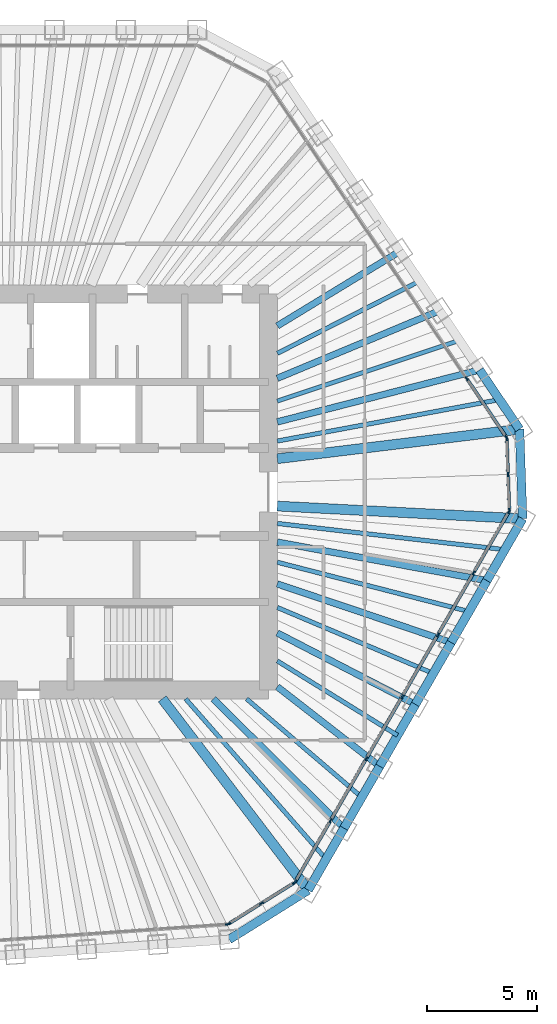
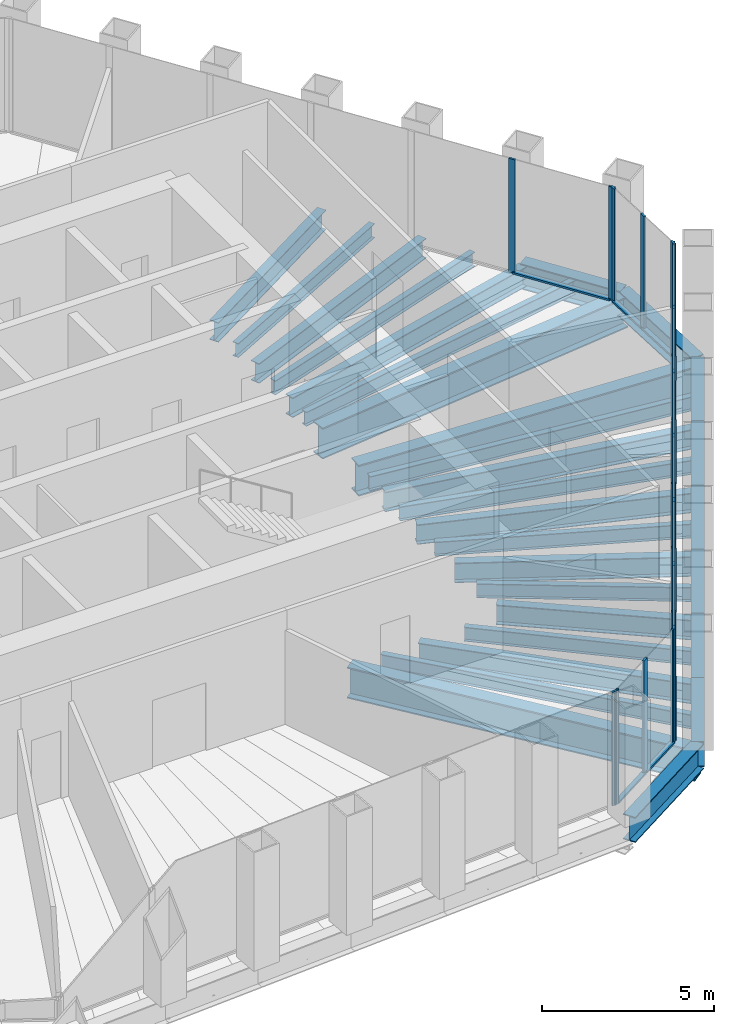
# One storey, part 5 of 14: 29 beams, 27 members, 5 elements without a shape of their own.
"""IFC4 building model written with IfcOpenShell, lengths in metres."""

from ifc_helpers import new_model, si_unit, direction, frame, origin, origin_2d, place, context, subcontext, project, spatial, rectangle, i_section, extrude, material, material_profile, profile_set, type_object, element, aggregate, save


model = new_model("IFC4")

# Units and contexts
model_context = context("Model", 3, precision=1e-05, world=origin(), true_north=direction((0.0, 1.0)))
body_context = subcontext(model_context, "Body", "Model", "MODEL_VIEW")
ifc_project = project(units=[si_unit("LENGTHUNIT", "METRE"), si_unit("AREAUNIT", "SQUARE_METRE"), si_unit("VOLUMEUNIT", "CUBIC_METRE"), si_unit("PLANEANGLEUNIT", "RADIAN"), si_unit("MASSUNIT", "GRAM", prefix="KILO")], contexts=[model_context])

# Site, building, storey
site_placement = place(None, origin())
site = spatial("IfcSite", under=ifc_project, at=site_placement, CompositionType="ELEMENT")
building_placement = place(site_placement, origin())
building = spatial("IfcBuilding", under=site, at=building_placement, Name="Qingtian Harvest Tower", CompositionType="ELEMENT")
storey_placement = place(building_placement, frame((0.0, 0.0, 308.199951171875)))
storey = spatial("IfcBuildingStorey", under=building, at=storey_placement, Name="L68", CompositionType="ELEMENT", Elevation=308.199951171875)

# Beams
ifc_material_1 = material(Name="Steel SM570MC", Category="steel")
ifc_material_profile_1 = material_profile(ifc_material_1, i_section(OverallWidth=0.449951171875, OverallDepth=1.10009765625, WebThickness=0.02197265625, FlangeThickness=0.044921875, at=origin_2d()), Name="H1100x450x22x45")
ifc_profile_set_1 = profile_set([ifc_material_profile_1], Name="Steel SM570MC")
beam_type_1 = type_object("IfcBeamType", Name="Corner floor beam FB8 H1100x450x22x45", PredefinedType="BEAM", material=ifc_profile_set_1)
beam_1_placement = place(storey_placement, frame((23.405517578125, 2.85400390625, -0.719970703125), z_axis=(-0.992647039178, -0.121044849583, 0.0), x_axis=(0.121044849583, -0.992647039178, 0.0)))
element("IfcBeam", 1, at=beam_1_placement, inside=storey, type_object=beam_type_1, Name="Floor beam FB8 NE6", PredefinedType="BEAM", context=body_context, shape_type="SweptSolid", body=[
    extrude(i_section(OverallWidth=0.449951171875, OverallDepth=1.10009765625, WebThickness=0.02197265625, FlangeThickness=0.044921875, at=origin_2d()), origin(), (0.0, 0.0, 1.0), 11.087158203125),
])
beam_2_placement = place(storey_placement, frame((23.547607421875, -1.21435546875, -0.719970703125), z_axis=(-0.998672618964, 0.051507282312, 0.0), x_axis=(-0.051507282312, -0.998672618964, 0.0)))
element("IfcBeam", 2, at=beam_2_placement, inside=storey, type_object=beam_type_1, Name="Floor beam FB8 SE0", PredefinedType="BEAM", context=body_context, shape_type="SweptSolid", body=[
    extrude(i_section(OverallWidth=0.449951171875, OverallDepth=1.10009765625, WebThickness=0.02197265625, FlangeThickness=0.044921875, at=origin_2d()), origin(), (0.0, 0.0, 1.0), 11.16259765625),
])
beam_3_placement = place(storey_placement, frame((13.803466796875, -18.091552734375, -0.719970703125), z_axis=(-0.606571927806, 0.795028613572, 0.0), x_axis=(-0.795028613572, -0.606571927806, 0.0)))
element("IfcBeam", 3, at=beam_3_placement, inside=storey, type_object=beam_type_1, Name="Floor beam FB8 SE6", PredefinedType="BEAM", context=body_context, shape_type="SweptSolid", body=[
    extrude(i_section(OverallWidth=0.449951171875, OverallDepth=1.10009765625, WebThickness=0.02197265625, FlangeThickness=0.044921875, at=origin_2d()), origin(), (0.0, 0.0, 1.0), 10.9326171875),
])
ifc_material_2 = material(Name="Steel SN490B", Category="steel")
ifc_material_profile_2 = material_profile(ifc_material_2, i_section(OverallWidth=0.300048828125, OverallDepth=0.699951171875, WebThickness=0.012939453125, FlangeThickness=0.02392578125, at=origin_2d()), Name="H700x300x13x24")
ifc_profile_set_2 = profile_set([ifc_material_profile_2], Name="Steel SN490B")
beam_type_2 = type_object("IfcBeamType", Name="Floor beam FB4 H700x300x13x24", PredefinedType="BEAM", material=ifc_profile_set_2)
beam_4_placement = place(storey_placement, frame((17.956787109375, 10.93212890625, -0.52001953125), z_axis=(-0.854157247087, -0.520014804836, 0.0), x_axis=(0.520014804836, -0.854157247087, 0.0)))
element("IfcBeam", 4, at=beam_4_placement, inside=storey, type_object=beam_type_2, Name="Floor beam FB4 NE3", PredefinedType="BEAM", context=body_context, shape_type="SweptSolid", body=[
    extrude(i_section(OverallWidth=0.300048828125, OverallDepth=0.699951171875, WebThickness=0.012939453125, FlangeThickness=0.02392578125, at=origin_2d()), origin(), (0.0, 0.0, 1.0), 6.505615234375),
])
beam_5_placement = place(storey_placement, frame((19.77294921875, 8.2392578125, -0.52001953125), z_axis=(-0.923069688542, -0.38463274704, 0.0), x_axis=(0.38463274704, -0.923069688542, 0.0)))
element("IfcBeam", 5, at=beam_5_placement, inside=storey, type_object=beam_type_2, Name="Floor beam FB4 NE4", PredefinedType="BEAM", context=body_context, shape_type="SweptSolid", body=[
    extrude(i_section(OverallWidth=0.300048828125, OverallDepth=0.699951171875, WebThickness=0.012939453125, FlangeThickness=0.02392578125, at=origin_2d()), origin(), (0.0, 0.0, 1.0), 7.987548828125),
])
beam_6_placement = place(storey_placement, frame((21.58935546875, 5.546630859375, -0.52001953125), z_axis=(-0.96854787986, -0.248827258189, 0.0), x_axis=(0.248827258189, -0.96854787986, 0.0)))
element("IfcBeam", 6, at=beam_6_placement, inside=storey, type_object=beam_type_2, Name="Floor beam FB4 NE5", PredefinedType="BEAM", context=body_context, shape_type="SweptSolid", body=[
    extrude(i_section(OverallWidth=0.300048828125, OverallDepth=0.699951171875, WebThickness=0.012939453125, FlangeThickness=0.02392578125, at=origin_2d()), origin(), (0.0, 0.0, 1.0), 9.48779296875),
])
beam_7_placement = place(storey_placement, frame((21.923583984375, -4.027099609375, -0.52001953125), z_axis=(-0.983546800525, 0.180653511389, 0.0), x_axis=(-0.180653511389, -0.983546800525, 0.0)))
element("IfcBeam", 7, at=beam_7_placement, inside=storey, type_object=beam_type_2, Name="Floor beam FB4 SE1", PredefinedType="BEAM", context=body_context, shape_type="SweptSolid", body=[
    extrude(i_section(OverallWidth=0.300048828125, OverallDepth=0.699951171875, WebThickness=0.012939453125, FlangeThickness=0.02392578125, at=origin_2d()), origin(), (0.0, 0.0, 1.0), 9.68310546875),
])
beam_8_placement = place(storey_placement, frame((20.299560546875, -6.840087890625, -0.52001953125), z_axis=(-0.947647345861, 0.319318818553, 0.0), x_axis=(-0.319318818553, -0.947647345861, 0.0)))
element("IfcBeam", 8, at=beam_8_placement, inside=storey, type_object=beam_type_2, Name="Floor beam FB4 SE2", PredefinedType="BEAM", context=body_context, shape_type="SweptSolid", body=[
    extrude(i_section(OverallWidth=0.300048828125, OverallDepth=0.699951171875, WebThickness=0.012939453125, FlangeThickness=0.02392578125, at=origin_2d()), origin(), (0.0, 0.0, 1.0), 8.336181640625),
])
beam_9_placement = place(storey_placement, frame((18.675537109375, -9.65283203125, -0.52001953125), z_axis=(-0.888354253651, 0.459158708967, 0.0), x_axis=(-0.459158708967, -0.888354253651, 0.0)))
element("IfcBeam", 9, at=beam_9_placement, inside=storey, type_object=beam_type_2, Name="Floor beam FB4 SE3", PredefinedType="BEAM", context=body_context, shape_type="SweptSolid", body=[
    extrude(i_section(OverallWidth=0.300048828125, OverallDepth=0.699951171875, WebThickness=0.012939453125, FlangeThickness=0.02392578125, at=origin_2d()), origin(), (0.0, 0.0, 1.0), 7.064453125),
])
beam_10_placement = place(storey_placement, frame((17.051513671875, -12.4658203125, -0.52001953125), z_axis=(-0.789532919969, 0.613708211029, 0.0), x_axis=(-0.613708211029, -0.789532919969, 0.0)))
element("IfcBeam", 10, at=beam_10_placement, inside=storey, type_object=beam_type_2, Name="Floor beam FB4 SE4", PredefinedType="BEAM", context=body_context, shape_type="SweptSolid", body=[
    extrude(i_section(OverallWidth=0.300048828125, OverallDepth=0.699951171875, WebThickness=0.012939453125, FlangeThickness=0.02392578125, at=origin_2d()), origin(), (0.0, 0.0, 1.0), 5.8916015625),
])
beam_11_placement = place(storey_placement, frame((15.427490234375, -15.278564453125, -0.52001953125), z_axis=(-0.71051769643, 0.703679332552, 0.0), x_axis=(-0.703679332552, -0.71051769643, 0.0)))
element("IfcBeam", 11, at=beam_11_placement, inside=storey, type_object=beam_type_2, Name="Floor beam FB4 SE5", PredefinedType="BEAM", context=body_context, shape_type="SweptSolid", body=[
    extrude(i_section(OverallWidth=0.300048828125, OverallDepth=0.699951171875, WebThickness=0.012939453125, FlangeThickness=0.02392578125, at=origin_2d()), origin(), (0.0, 0.0, 1.0), 8.354248046875),
])
ifc_material_3 = material(Name="Steel SN490B", Category="steel")
ifc_material_profile_3 = material_profile(ifc_material_3, i_section(OverallWidth=0.199951171875, OverallDepth=0.5, WebThickness=0.010009765625, FlangeThickness=0.01611328125, at=origin_2d()), Name="H500x200x10x16")
ifc_profile_set_3 = profile_set([ifc_material_profile_3], Name="Steel SN490B")
beam_type_3 = type_object("IfcBeamType", Name="Floor joist J3 H500x200x10x16", PredefinedType="JOIST", material=ifc_profile_set_3)
beam_12_placement = place(storey_placement, frame((18.864990234375, 9.585693359375, -0.419921875), z_axis=(-0.891519956149, -0.452981421018, 0.0), x_axis=(0.452981421018, -0.891519956149, 0.0)))
element("IfcBeam", 12, at=beam_12_placement, inside=storey, type_object=beam_type_3, Name="Floor joist J3 NE3", PredefinedType="JOIST", context=body_context, shape_type="SweptSolid", body=[
    extrude(i_section(OverallWidth=0.199951171875, OverallDepth=0.5, WebThickness=0.010009765625, FlangeThickness=0.01611328125, at=origin_2d()), origin(), (0.0, 0.0, 1.0), 7.251708984375),
])
beam_13_placement = place(storey_placement, frame((20.68115234375, 6.89306640625, -0.419921875), z_axis=(-0.948688891587, -0.316210984914, 0.0), x_axis=(0.316210984914, -0.948688891587, 0.0)))
element("IfcBeam", 13, at=beam_13_placement, inside=storey, type_object=beam_type_3, Name="Floor joist J3 NE4", PredefinedType="JOIST", context=body_context, shape_type="SweptSolid", body=[
    extrude(i_section(OverallWidth=0.199951171875, OverallDepth=0.5, WebThickness=0.010009765625, FlangeThickness=0.01611328125, at=origin_2d()), origin(), (0.0, 0.0, 1.0), 8.729248046875),
])
beam_14_placement = place(storey_placement, frame((22.49755859375, 4.2001953125, -0.419921875), z_axis=(-0.983018248018, -0.183507831067, 0.0), x_axis=(0.183507831067, -0.983018248018, 0.0)))
element("IfcBeam", 14, at=beam_14_placement, inside=storey, type_object=beam_type_3, Name="Floor joist J3 NE5", PredefinedType="JOIST", context=body_context, shape_type="SweptSolid", body=[
    extrude(i_section(OverallWidth=0.199951171875, OverallDepth=0.5, WebThickness=0.010009765625, FlangeThickness=0.01611328125, at=origin_2d()), origin(), (0.0, 0.0, 1.0), 10.27197265625),
])
beam_15_placement = place(storey_placement, frame((22.735595703125, -2.62060546875, -0.419921875), z_axis=(-0.993421775836, 0.114512773499, 0.0), x_axis=(-0.114512773499, -0.993421775836, 0.0)))
element("IfcBeam", 15, at=beam_15_placement, inside=storey, type_object=beam_type_3, Name="Floor joist J3 SE0", PredefinedType="JOIST", context=body_context, shape_type="SweptSolid", body=[
    extrude(i_section(OverallWidth=0.199951171875, OverallDepth=0.5, WebThickness=0.010009765625, FlangeThickness=0.01611328125, at=origin_2d()), origin(), (0.0, 0.0, 1.0), 10.404052734375),
])
beam_16_placement = place(storey_placement, frame((21.111572265625, -5.43359375, -0.419921875), z_axis=(-0.968438109541, 0.249254143374, 0.0), x_axis=(-0.249254143374, -0.968438109541, 0.0)))
element("IfcBeam", 16, at=beam_16_placement, inside=storey, type_object=beam_type_3, Name="Floor joist J3 SE1", PredefinedType="JOIST", context=body_context, shape_type="SweptSolid", body=[
    extrude(i_section(OverallWidth=0.199951171875, OverallDepth=0.5, WebThickness=0.010009765625, FlangeThickness=0.01611328125, at=origin_2d()), origin(), (0.0, 0.0, 1.0), 8.99560546875),
])
beam_17_placement = place(storey_placement, frame((19.487548828125, -8.246337890625, -0.419921875), z_axis=(-0.92094842321, 0.389684490052, 0.0), x_axis=(-0.389684490052, -0.92094842321, 0.0)))
element("IfcBeam", 17, at=beam_17_placement, inside=storey, type_object=beam_type_3, Name="Floor joist J3 SE2", PredefinedType="JOIST", context=body_context, shape_type="SweptSolid", body=[
    extrude(i_section(OverallWidth=0.199951171875, OverallDepth=0.5, WebThickness=0.010009765625, FlangeThickness=0.01611328125, at=origin_2d()), origin(), (0.0, 0.0, 1.0), 7.696044921875),
])
beam_18_placement = place(storey_placement, frame((17.863525390625, -11.059326171875, -0.419921875), z_axis=(-0.850242474743, 0.526391236765, 0.0), x_axis=(-0.526391236765, -0.850242474743, 0.0)))
element("IfcBeam", 18, at=beam_18_placement, inside=storey, type_object=beam_type_3, Name="Floor joist J3 SE3", PredefinedType="JOIST", context=body_context, shape_type="SweptSolid", body=[
    extrude(i_section(OverallWidth=0.199951171875, OverallDepth=0.5, WebThickness=0.010009765625, FlangeThickness=0.01611328125, at=origin_2d()), origin(), (0.0, 0.0, 1.0), 6.426025390625),
])
beam_19_placement = place(storey_placement, frame((16.239501953125, -13.8720703125, -0.419921875), z_axis=(-0.760351789284, 0.649511475289, 0.0), x_axis=(-0.649511475289, -0.760351789284, 0.0)))
element("IfcBeam", 19, at=beam_19_placement, inside=storey, type_object=beam_type_3, Name="Floor joist J3 SE4", PredefinedType="JOIST", context=body_context, shape_type="SweptSolid", body=[
    extrude(i_section(OverallWidth=0.199951171875, OverallDepth=0.5, WebThickness=0.010009765625, FlangeThickness=0.01611328125, at=origin_2d()), origin(), (0.0, 0.0, 1.0), 6.885498046875),
])
beam_20_placement = place(storey_placement, frame((14.615478515625, -16.68505859375, -0.419921875), z_axis=(-0.658904284354, 0.75222679031, 0.0), x_axis=(-0.75222679031, -0.658904284354, 0.0)))
element("IfcBeam", 20, at=beam_20_placement, inside=storey, type_object=beam_type_3, Name="Floor joist J3 SE5", PredefinedType="JOIST", context=body_context, shape_type="SweptSolid", body=[
    extrude(i_section(OverallWidth=0.199951171875, OverallDepth=0.5, WebThickness=0.010009765625, FlangeThickness=0.01611328125, at=origin_2d()), origin(), (0.0, 0.0, 1.0), 9.684814453125),
])

# Curtain wall, members
ifc_material_4 = material(Name="Bronze-anodised aluminium curtain wall", Category="aluminium")
curtain_wall_type = type_object("IfcCurtainWallType", Name="Curtain wall CW5 upper office", PredefinedType="USERDEFINED", material=ifc_material_4)
curtain_wall_1_placement = place(storey_placement, origin())
curtain_wall_1 = element("IfcCurtainWall", 21, at=curtain_wall_1_placement, inside=storey, type_object=curtain_wall_type, Name="Curtain wall CW5 L68 NE0-5", ObjectType="RECESSED CURTAIN WALL", PredefinedType="USERDEFINED")
ifc_material_5 = material(Name="Bronze-anodised aluminium mullion", Category="aluminium")
ifc_material_profile_4 = material_profile(ifc_material_5, rectangle(XDim=0.06494140625, YDim=0.199951171875, at=origin_2d()), Name="AL 65x200")
ifc_profile_set_4 = profile_set([ifc_material_profile_4], Name="Bronze-anodised aluminium mullion")
member_type_1 = type_object("IfcMemberType", Name="Mullion CWM 65x200", PredefinedType="MULLION", material=ifc_profile_set_4)
member_1_placement = place(storey_placement, frame((21.009033203125, 5.1552734375, 0.0), z_axis=(0.0, 0.0, 1.0), x_axis=(0.829037572555, 0.559192903471, 0.0)))
member_1 = element("IfcMember", 22, at=member_1_placement, type_object=member_type_1, Name="CW5 mullion 6", PredefinedType="MULLION", context=body_context, shape_type="SweptSolid", body=[
    extrude(rectangle(XDim=0.06494140625, YDim=0.199951171875, at=origin_2d()), origin(), (0.0, 0.0, 1.0), 4.030029296875),
])
member_2_placement = place(storey_placement, frame((22.80712890625, 2.489501953125, 0.0), z_axis=(0.0, 0.0, 1.0), x_axis=(0.829037572555, 0.559192903471, 0.0)))
member_2 = element("IfcMember", 23, at=member_2_placement, type_object=member_type_1, Name="CW5 mullion 7", PredefinedType="MULLION", context=body_context, shape_type="SweptSolid", body=[
    extrude(rectangle(XDim=0.06494140625, YDim=0.199951171875, at=origin_2d()), origin(), (0.0, 0.0, 1.0), 4.030029296875),
])

curtain_wall_2_placement = place(storey_placement, origin())
curtain_wall_2 = element("IfcCurtainWall", 24, at=curtain_wall_2_placement, inside=storey, type_object=curtain_wall_type, Name="Curtain wall CW5 L68 NEC", ObjectType="RECESSED CURTAIN WALL", PredefinedType="USERDEFINED")
member_3_placement = place(storey_placement, frame((22.826416015625, 2.429931640625, 0.0), z_axis=(0.0, 0.0, 1.0), x_axis=(0.999390827019, 0.034899496703, 0.0)))
member_3 = element("IfcMember", 25, at=member_3_placement, type_object=member_type_1, Name="CW5 mullion 1", PredefinedType="MULLION", context=body_context, shape_type="SweptSolid", body=[
    extrude(rectangle(XDim=0.06494140625, YDim=0.199951171875, at=origin_2d()), origin(), (0.0, 0.0, 1.0), 4.030029296875),
])
member_4_placement = place(storey_placement, frame((22.88330078125, 0.799072265625, 0.0), z_axis=(0.0, 0.0, 1.0), x_axis=(0.999390827019, 0.034899496703, 0.0)))
member_4 = element("IfcMember", 26, at=member_4_placement, type_object=member_type_1, Name="CW5 mullion 2", PredefinedType="MULLION", context=body_context, shape_type="SweptSolid", body=[
    extrude(rectangle(XDim=0.06494140625, YDim=0.199951171875, at=origin_2d()), origin(), (0.0, 0.0, 1.0), 4.030029296875),
])
member_5_placement = place(storey_placement, frame((22.9404296875, -0.831787109375, 0.0), z_axis=(0.0, 0.0, 1.0), x_axis=(0.999390827019, 0.034899496703, 0.0)))
member_5 = element("IfcMember", 27, at=member_5_placement, type_object=member_type_1, Name="CW5 mullion 3", PredefinedType="MULLION", context=body_context, shape_type="SweptSolid", body=[
    extrude(rectangle(XDim=0.06494140625, YDim=0.199951171875, at=origin_2d()), origin(), (0.0, 0.0, 1.0), 4.030029296875),
])

curtain_wall_3_placement = place(storey_placement, origin())
curtain_wall_3 = element("IfcCurtainWall", 28, at=curtain_wall_3_placement, inside=storey, type_object=curtain_wall_type, Name="Curtain wall CW5 L68 SE0-5", ObjectType="RECESSED CURTAIN WALL", PredefinedType="USERDEFINED")
member_6_placement = place(storey_placement, frame((22.92529296875, -0.892333984375, 0.0), z_axis=(0.0, 0.0, 1.0), x_axis=(0.866025403784, -0.5, 0.0)))
member_6 = element("IfcMember", 29, at=member_6_placement, type_object=member_type_1, Name="CW5 mullion 1", PredefinedType="MULLION", context=body_context, shape_type="SweptSolid", body=[
    extrude(rectangle(XDim=0.06494140625, YDim=0.199951171875, at=origin_2d()), origin(), (0.0, 0.0, 1.0), 4.030029296875),
])
member_7_placement = place(storey_placement, frame((21.3173828125, -3.67724609375, 0.0), z_axis=(0.0, 0.0, 1.0), x_axis=(0.866025403784, -0.5, 0.0)))
member_7 = element("IfcMember", 30, at=member_7_placement, type_object=member_type_1, Name="CW5 mullion 2", PredefinedType="MULLION", context=body_context, shape_type="SweptSolid", body=[
    extrude(rectangle(XDim=0.06494140625, YDim=0.199951171875, at=origin_2d()), origin(), (0.0, 0.0, 1.0), 4.030029296875),
])
member_8_placement = place(storey_placement, frame((19.693359375, -6.489990234375, 0.0), z_axis=(0.0, 0.0, 1.0), x_axis=(0.866025403784, -0.5, 0.0)))
member_8 = element("IfcMember", 31, at=member_8_placement, type_object=member_type_1, Name="CW5 mullion 3", PredefinedType="MULLION", context=body_context, shape_type="SweptSolid", body=[
    extrude(rectangle(XDim=0.06494140625, YDim=0.199951171875, at=origin_2d()), origin(), (0.0, 0.0, 1.0), 4.030029296875),
])
member_9_placement = place(storey_placement, frame((18.0693359375, -9.302978515625, 0.0), z_axis=(0.0, 0.0, 1.0), x_axis=(0.866025403784, -0.5, 0.0)))
member_9 = element("IfcMember", 32, at=member_9_placement, type_object=member_type_1, Name="CW5 mullion 4", PredefinedType="MULLION", context=body_context, shape_type="SweptSolid", body=[
    extrude(rectangle(XDim=0.06494140625, YDim=0.199951171875, at=origin_2d()), origin(), (0.0, 0.0, 1.0), 4.030029296875),
])
member_10_placement = place(storey_placement, frame((16.4453125, -12.11572265625, 0.0), z_axis=(0.0, 0.0, 1.0), x_axis=(0.866025403784, -0.5, 0.0)))
member_10 = element("IfcMember", 33, at=member_10_placement, type_object=member_type_1, Name="CW5 mullion 5", PredefinedType="MULLION", context=body_context, shape_type="SweptSolid", body=[
    extrude(rectangle(XDim=0.06494140625, YDim=0.199951171875, at=origin_2d()), origin(), (0.0, 0.0, 1.0), 4.030029296875),
])
member_11_placement = place(storey_placement, frame((14.8212890625, -14.9287109375, 0.0), z_axis=(0.0, 0.0, 1.0), x_axis=(0.866025403784, -0.5, 0.0)))
member_11 = element("IfcMember", 34, at=member_11_placement, type_object=member_type_1, Name="CW5 mullion 6", PredefinedType="MULLION", context=body_context, shape_type="SweptSolid", body=[
    extrude(rectangle(XDim=0.06494140625, YDim=0.199951171875, at=origin_2d()), origin(), (0.0, 0.0, 1.0), 4.030029296875),
])
member_12_placement = place(storey_placement, frame((13.213623046875, -17.71337890625, 0.0), z_axis=(0.0, 0.0, 1.0), x_axis=(0.866025403784, -0.5, 0.0)))
member_12 = element("IfcMember", 35, at=member_12_placement, type_object=member_type_1, Name="CW5 mullion 7", PredefinedType="MULLION", context=body_context, shape_type="SweptSolid", body=[
    extrude(rectangle(XDim=0.06494140625, YDim=0.199951171875, at=origin_2d()), origin(), (0.0, 0.0, 1.0), 4.030029296875),
])

curtain_wall_4_placement = place(storey_placement, origin())
curtain_wall_4 = element("IfcCurtainWall", 36, at=curtain_wall_4_placement, inside=storey, type_object=curtain_wall_type, Name="Curtain wall CW5 L68 SEC", ObjectType="RECESSED CURTAIN WALL", PredefinedType="USERDEFINED")
member_13_placement = place(storey_placement, frame((13.169921875, -17.7587890625, 0.0), z_axis=(0.0, 0.0, 1.0), x_axis=(0.529919264233, -0.848048096156, 0.0)))
member_13 = element("IfcMember", 37, at=member_13_placement, type_object=member_type_1, Name="CW5 mullion 1", PredefinedType="MULLION", context=body_context, shape_type="SweptSolid", body=[
    extrude(rectangle(XDim=0.06494140625, YDim=0.199951171875, at=origin_2d()), origin(), (0.0, 0.0, 1.0), 4.030029296875),
])
member_14_placement = place(storey_placement, frame((11.678955078125, -18.690185546875, 0.0), z_axis=(0.0, 0.0, 1.0), x_axis=(0.529919264233, -0.848048096156, 0.0)))
member_14 = element("IfcMember", 38, at=member_14_placement, type_object=member_type_1, Name="CW5 mullion 2", PredefinedType="MULLION", context=body_context, shape_type="SweptSolid", body=[
    extrude(rectangle(XDim=0.06494140625, YDim=0.199951171875, at=origin_2d()), origin(), (0.0, 0.0, 1.0), 4.030029296875),
])
member_15_placement = place(storey_placement, frame((10.188232421875, -19.621826171875, 0.0), z_axis=(0.0, 0.0, 1.0), x_axis=(0.529919264233, -0.848048096156, 0.0)))
member_15 = element("IfcMember", 39, at=member_15_placement, type_object=member_type_1, Name="CW5 mullion 3", PredefinedType="MULLION", context=body_context, shape_type="SweptSolid", body=[
    extrude(rectangle(XDim=0.06494140625, YDim=0.199951171875, at=origin_2d()), origin(), (0.0, 0.0, 1.0), 4.030029296875),
])

# Curtain wall, member
curtain_wall_5_placement = place(storey_placement, origin())
curtain_wall_5 = element("IfcCurtainWall", 40, at=curtain_wall_5_placement, inside=storey, type_object=curtain_wall_type, Name="Curtain wall CW5 L68 S0-5", ObjectType="RECESSED CURTAIN WALL", PredefinedType="USERDEFINED")
member_16_placement = place(storey_placement, frame((10.128173828125, -19.641357421875, 0.0), z_axis=(0.0, 0.0, 1.0), x_axis=(0.069756473744, -0.99756405026, 0.0)))
member_16 = element("IfcMember", 41, at=member_16_placement, type_object=member_type_1, Name="CW5 mullion 1", PredefinedType="MULLION", context=body_context, shape_type="SweptSolid", body=[
    extrude(rectangle(XDim=0.06494140625, YDim=0.199951171875, at=origin_2d()), origin(), (0.0, 0.0, 1.0), 4.030029296875),
])
aggregate(curtain_wall_5, [member_16])

# Beams
ifc_material_6 = material(Name="Steel SN490B", Category="steel")
ifc_material_profile_5 = material_profile(ifc_material_6, i_section(OverallWidth=0.39990234375, OverallDepth=0.89990234375, WebThickness=0.01904296875, FlangeThickness=0.035888671875, at=origin_2d()), Name="H900x400x19x36")
ifc_profile_set_5 = profile_set([ifc_material_profile_5], Name="Steel SN490B")
beam_type_4 = type_object("IfcBeamType", Name="Spandrel beam SB4 H900x400x19x36", PredefinedType="SPANDREL", material=ifc_profile_set_5)
beam_21_placement = place(storey_placement, frame((21.58935546875, 5.546630859375, -0.449951171875), z_axis=(0.559184924833, -0.829042954158, 0.0), x_axis=(0.829042954158, 0.559184924833, 0.0)))
element("IfcBeam", 42, at=beam_21_placement, inside=storey, type_object=beam_type_4, Name="Spandrel SB4 NE5", PredefinedType="SPANDREL", context=body_context, shape_type="SweptSolid", body=[
    extrude(i_section(OverallWidth=0.39990234375, OverallDepth=0.89990234375, WebThickness=0.01904296875, FlangeThickness=0.035888671875, at=origin_2d()), origin(), (0.0, 0.0, 1.0), 3.247802734375),
])
beam_22_placement = place(storey_placement, frame((23.405517578125, 2.85400390625, -0.449951171875), z_axis=(0.034904306503, -0.999390659046, 0.0), x_axis=(0.999390659046, 0.034904306503, 0.0)))
element("IfcBeam", 43, at=beam_22_placement, inside=storey, type_object=beam_type_4, Name="Spandrel SB4 NEC", PredefinedType="SPANDREL", context=body_context, shape_type="SweptSolid", body=[
    extrude(i_section(OverallWidth=0.39990234375, OverallDepth=0.89990234375, WebThickness=0.01904296875, FlangeThickness=0.035888671875, at=origin_2d()), origin(), (0.0, 0.0, 1.0), 4.07080078125),
])
beam_23_placement = place(storey_placement, frame((23.547607421875, -1.21435546875, -0.449951171875), z_axis=(-0.500019593356, -0.866014091259, 0.0), x_axis=(0.866014091259, -0.500019593356, 0.0)))
element("IfcBeam", 44, at=beam_23_placement, inside=storey, type_object=beam_type_4, Name="Spandrel SB4 SE0", PredefinedType="SPANDREL", context=body_context, shape_type="SweptSolid", body=[
    extrude(i_section(OverallWidth=0.39990234375, OverallDepth=0.89990234375, WebThickness=0.01904296875, FlangeThickness=0.035888671875, at=origin_2d()), origin(), (0.0, 0.0, 1.0), 3.247802734375),
])
beam_24_placement = place(storey_placement, frame((21.923583984375, -4.027099609375, -0.449951171875), z_axis=(-0.499987045439, -0.866032882975, 0.0), x_axis=(0.866032882975, -0.499987045439, 0.0)))
element("IfcBeam", 45, at=beam_24_placement, inside=storey, type_object=beam_type_4, Name="Spandrel SB4 SE1", PredefinedType="SPANDREL", context=body_context, shape_type="SweptSolid", body=[
    extrude(i_section(OverallWidth=0.39990234375, OverallDepth=0.89990234375, WebThickness=0.01904296875, FlangeThickness=0.035888671875, at=origin_2d()), origin(), (0.0, 0.0, 1.0), 3.248046875),
])
beam_25_placement = place(storey_placement, frame((20.299560546875, -6.840087890625, -0.449951171875), z_axis=(-0.500019593356, -0.866014091259, 0.0), x_axis=(0.866014091259, -0.500019593356, 0.0)))
element("IfcBeam", 46, at=beam_25_placement, inside=storey, type_object=beam_type_4, Name="Spandrel SB4 SE2", PredefinedType="SPANDREL", context=body_context, shape_type="SweptSolid", body=[
    extrude(i_section(OverallWidth=0.39990234375, OverallDepth=0.89990234375, WebThickness=0.01904296875, FlangeThickness=0.035888671875, at=origin_2d()), origin(), (0.0, 0.0, 1.0), 3.247802734375),
])
beam_26_placement = place(storey_placement, frame((18.675537109375, -9.65283203125, -0.449951171875), z_axis=(-0.499987045439, -0.866032882975, 0.0), x_axis=(0.866032882975, -0.499987045439, 0.0)))
element("IfcBeam", 47, at=beam_26_placement, inside=storey, type_object=beam_type_4, Name="Spandrel SB4 SE3", PredefinedType="SPANDREL", context=body_context, shape_type="SweptSolid", body=[
    extrude(i_section(OverallWidth=0.39990234375, OverallDepth=0.89990234375, WebThickness=0.01904296875, FlangeThickness=0.035888671875, at=origin_2d()), origin(), (0.0, 0.0, 1.0), 3.248046875),
])
beam_27_placement = place(storey_placement, frame((17.051513671875, -12.4658203125, -0.449951171875), z_axis=(-0.500019593356, -0.866014091259, 0.0), x_axis=(0.866014091259, -0.500019593356, 0.0)))
element("IfcBeam", 48, at=beam_27_placement, inside=storey, type_object=beam_type_4, Name="Spandrel SB4 SE4", PredefinedType="SPANDREL", context=body_context, shape_type="SweptSolid", body=[
    extrude(i_section(OverallWidth=0.39990234375, OverallDepth=0.89990234375, WebThickness=0.01904296875, FlangeThickness=0.035888671875, at=origin_2d()), origin(), (0.0, 0.0, 1.0), 3.247802734375),
])
beam_28_placement = place(storey_placement, frame((15.427490234375, -15.278564453125, -0.449951171875), z_axis=(-0.499987045439, -0.866032882975, 0.0), x_axis=(0.866032882975, -0.499987045439, 0.0)))
element("IfcBeam", 49, at=beam_28_placement, inside=storey, type_object=beam_type_4, Name="Spandrel SB4 SE5", PredefinedType="SPANDREL", context=body_context, shape_type="SweptSolid", body=[
    extrude(i_section(OverallWidth=0.39990234375, OverallDepth=0.89990234375, WebThickness=0.01904296875, FlangeThickness=0.035888671875, at=origin_2d()), origin(), (0.0, 0.0, 1.0), 3.248046875),
])
beam_29_placement = place(storey_placement, frame((13.803466796875, -18.091552734375, -0.449951171875), z_axis=(-0.848040374245, -0.529931621675, 0.0), x_axis=(0.529931621675, -0.848040374245, 0.0)))
element("IfcBeam", 50, at=beam_29_placement, inside=storey, type_object=beam_type_4, Name="Spandrel SB4 SEC", PredefinedType="SPANDREL", context=body_context, shape_type="SweptSolid", body=[
    extrude(i_section(OverallWidth=0.39990234375, OverallDepth=0.89990234375, WebThickness=0.01904296875, FlangeThickness=0.035888671875, at=origin_2d()), origin(), (0.0, 0.0, 1.0), 4.238037109375),
])

# Member
ifc_material_7 = material(Name="Bronze-anodised aluminium transom", Category="aluminium")
ifc_material_profile_6 = material_profile(ifc_material_7, rectangle(XDim=0.14990234375, YDim=0.06494140625, at=origin_2d()), Name="AL 65x150")
ifc_profile_set_6 = profile_set([ifc_material_profile_6], Name="Bronze-anodised aluminium transom")
member_type_2 = type_object("IfcMemberType", Name="Transom CWT 65x150", PredefinedType="USERDEFINED", material=ifc_profile_set_6)
member_17_placement = place(storey_placement, frame((21.027099609375, 5.128173828125, 0.032470703125), z_axis=(0.559198649732, -0.829033696624, 0.0), x_axis=(0.829033696624, 0.559198649732, 0.0)))
member_17 = element("IfcMember", 51, at=member_17_placement, type_object=member_type_2, Name="CW5 transom 6.1", ObjectType="TRANSOM", PredefinedType="USERDEFINED", context=body_context, shape_type="SweptSolid", body=[
    extrude(rectangle(XDim=0.14990234375, YDim=0.06494140625, at=origin_2d()), origin(), (0.0, 0.0, 1.0), 3.150390625),
])

aggregate(curtain_wall_1, [member_1, member_2, member_17])

member_18_placement = place(storey_placement, frame((22.82763671875, 2.3974609375, 0.032470703125), z_axis=(0.034902326647, -0.999390728191, 0.0), x_axis=(0.999390728191, 0.034902326647, 0.0)))
member_18 = element("IfcMember", 52, at=member_18_placement, type_object=member_type_2, Name="CW5 transom 1.1", ObjectType="TRANSOM", PredefinedType="USERDEFINED", context=body_context, shape_type="SweptSolid", body=[
    extrude(rectangle(XDim=0.14990234375, YDim=0.06494140625, at=origin_2d()), origin(), (0.0, 0.0, 1.0), 1.56689453125),
])

member_19_placement = place(storey_placement, frame((22.884521484375, 0.7666015625, 0.032470703125), z_axis=(0.034902326647, -0.999390728191, 0.0), x_axis=(0.999390728191, 0.034902326647, 0.0)))
member_19 = element("IfcMember", 53, at=member_19_placement, type_object=member_type_2, Name="CW5 transom 2.1", ObjectType="TRANSOM", PredefinedType="USERDEFINED", context=body_context, shape_type="SweptSolid", body=[
    extrude(rectangle(XDim=0.14990234375, YDim=0.06494140625, at=origin_2d()), origin(), (0.0, 0.0, 1.0), 1.56689453125),
])

aggregate(curtain_wall_2, [member_3, member_4, member_5, member_18, member_19])

member_20_placement = place(storey_placement, frame((22.908935546875, -0.920654296875, 0.032470703125), z_axis=(-0.50000643655, -0.866021687608, 0.0), x_axis=(0.866021687608, -0.50000643655, 0.0)))
member_20 = element("IfcMember", 54, at=member_20_placement, type_object=member_type_2, Name="CW5 transom 1.1", ObjectType="TRANSOM", PredefinedType="USERDEFINED", context=body_context, shape_type="SweptSolid", body=[
    extrude(rectangle(XDim=0.14990234375, YDim=0.06494140625, at=origin_2d()), origin(), (0.0, 0.0, 1.0), 3.150390625),
])

member_21_placement = place(storey_placement, frame((21.30126953125, -3.705322265625, 0.032470703125), z_axis=(-0.5000079448, -0.866020816803, 0.0), x_axis=(0.866020816803, -0.5000079448, 0.0)))
member_21 = element("IfcMember", 55, at=member_21_placement, type_object=member_type_2, Name="CW5 transom 2.1", ObjectType="TRANSOM", PredefinedType="USERDEFINED", context=body_context, shape_type="SweptSolid", body=[
    extrude(rectangle(XDim=0.14990234375, YDim=0.06494140625, at=origin_2d()), origin(), (0.0, 0.0, 1.0), 3.18310546875),
])

member_22_placement = place(storey_placement, frame((19.67724609375, -6.51806640625, 0.032470703125), z_axis=(-0.5000079448, -0.866020816803, 0.0), x_axis=(0.866020816803, -0.5000079448, 0.0)))
member_22 = element("IfcMember", 56, at=member_22_placement, type_object=member_type_2, Name="CW5 transom 3.1", ObjectType="TRANSOM", PredefinedType="USERDEFINED", context=body_context, shape_type="SweptSolid", body=[
    extrude(rectangle(XDim=0.14990234375, YDim=0.06494140625, at=origin_2d()), origin(), (0.0, 0.0, 1.0), 3.18310546875),
])

member_23_placement = place(storey_placement, frame((18.05322265625, -9.3310546875, 0.032470703125), z_axis=(-0.5000079448, -0.866020816803, 0.0), x_axis=(0.866020816803, -0.5000079448, 0.0)))
member_23 = element("IfcMember", 57, at=member_23_placement, type_object=member_type_2, Name="CW5 transom 4.1", ObjectType="TRANSOM", PredefinedType="USERDEFINED", context=body_context, shape_type="SweptSolid", body=[
    extrude(rectangle(XDim=0.14990234375, YDim=0.06494140625, at=origin_2d()), origin(), (0.0, 0.0, 1.0), 3.18310546875),
])

member_24_placement = place(storey_placement, frame((16.42919921875, -12.143798828125, 0.032470703125), z_axis=(-0.5000079448, -0.866020816803, 0.0), x_axis=(0.866020816803, -0.5000079448, 0.0)))
member_24 = element("IfcMember", 58, at=member_24_placement, type_object=member_type_2, Name="CW5 transom 5.1", ObjectType="TRANSOM", PredefinedType="USERDEFINED", context=body_context, shape_type="SweptSolid", body=[
    extrude(rectangle(XDim=0.14990234375, YDim=0.06494140625, at=origin_2d()), origin(), (0.0, 0.0, 1.0), 3.18310546875),
])

member_25_placement = place(storey_placement, frame((14.80517578125, -14.956787109375, 0.032470703125), z_axis=(-0.499972881236, -0.866041060244, 0.0), x_axis=(0.866041060244, -0.499972881236, 0.0)))
member_25 = element("IfcMember", 59, at=member_25_placement, type_object=member_type_2, Name="CW5 transom 6.1", ObjectType="TRANSOM", PredefinedType="USERDEFINED", context=body_context, shape_type="SweptSolid", body=[
    extrude(rectangle(XDim=0.14990234375, YDim=0.06494140625, at=origin_2d()), origin(), (0.0, 0.0, 1.0), 3.150634765625),
])

aggregate(curtain_wall_3, [member_6, member_7, member_8, member_9, member_10, member_11, member_12, member_20, member_21, member_22, member_23, member_24, member_25])

member_26_placement = place(storey_placement, frame((13.142333984375, -17.77587890625, 0.032470703125), z_axis=(-0.84803880708, -0.529934129573, 0.0), x_axis=(0.529934129573, -0.84803880708, 0.0)))
member_26 = element("IfcMember", 60, at=member_26_placement, type_object=member_type_2, Name="CW5 transom 1.1", ObjectType="TRANSOM", PredefinedType="USERDEFINED", context=body_context, shape_type="SweptSolid", body=[
    extrude(rectangle(XDim=0.14990234375, YDim=0.06494140625, at=origin_2d()), origin(), (0.0, 0.0, 1.0), 1.693115234375),
])

member_27_placement = place(storey_placement, frame((11.6513671875, -18.70751953125, 0.032470703125), z_axis=(-0.847998304005, -0.529998940003, 0.0), x_axis=(0.529998940003, -0.847998304005, 0.0)))
member_27 = element("IfcMember", 61, at=member_27_placement, type_object=member_type_2, Name="CW5 transom 2.1", ObjectType="TRANSOM", PredefinedType="USERDEFINED", context=body_context, shape_type="SweptSolid", body=[
    extrude(rectangle(XDim=0.14990234375, YDim=0.06494140625, at=origin_2d()), origin(), (0.0, 0.0, 1.0), 1.69287109375),
])

aggregate(curtain_wall_4, [member_13, member_14, member_15, member_26, member_27])

save(model, "model.ifc")
